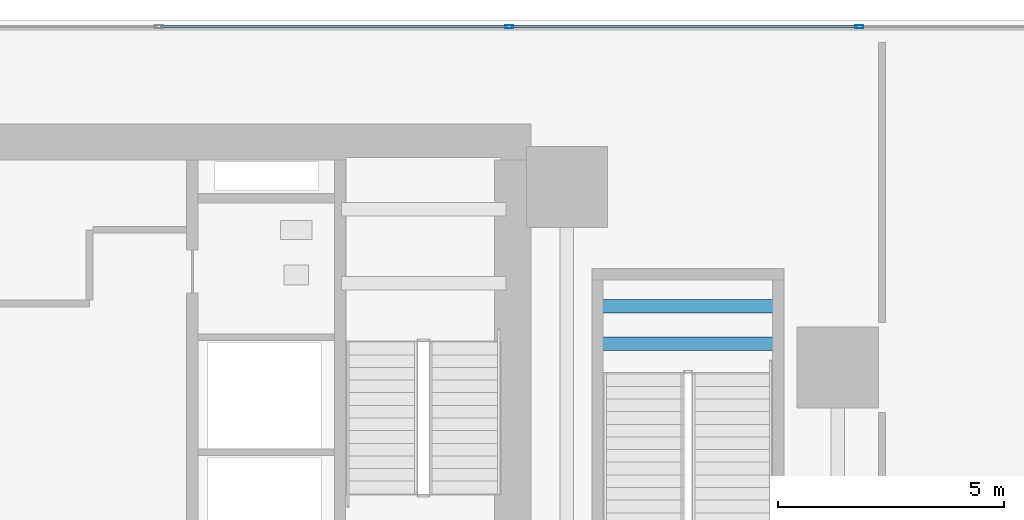
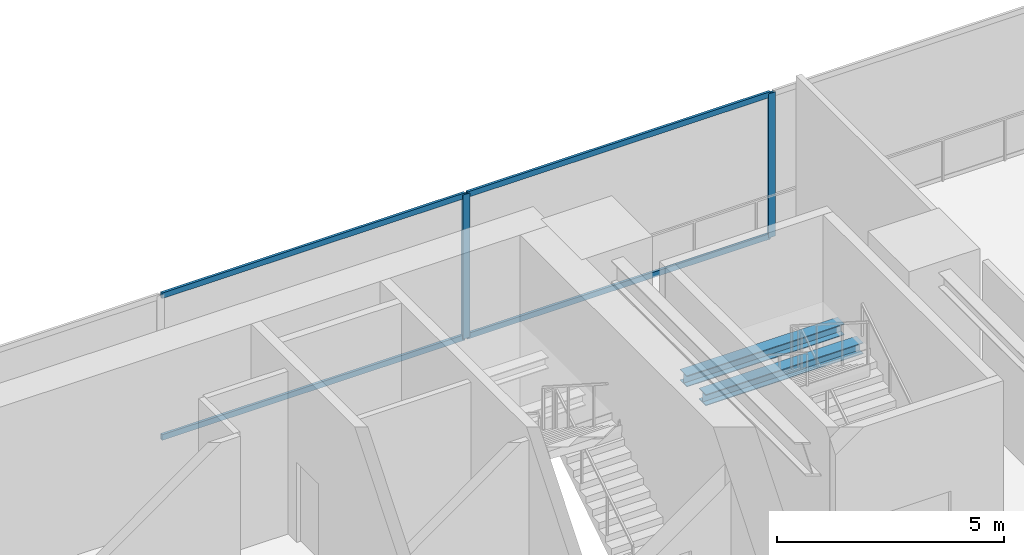
# One storey, part 6 of 17: 6 members, 2 beams, 1 element without a shape of its own.
"""IFC4 building model written with IfcOpenShell, lengths in metres."""

from ifc_helpers import new_model, si_unit, direction, frame, origin, origin_2d, place, context, subcontext, project, spatial, hollow_rectangle, i_section, extrude, source, transform, mapped, material, layer, layer_set, material_profile, profile_set, type_object, element, aggregate, save


model = new_model("IFC4")

# Units and contexts
model_context = context("Model", 3, precision=1e-05, world=origin(), true_north=direction((0.0, 1.0)))
body_context = subcontext(model_context, "Body", "Model", "MODEL_VIEW")
ifc_project = project(units=[si_unit("LENGTHUNIT", "METRE"), si_unit("AREAUNIT", "SQUARE_METRE"), si_unit("VOLUMEUNIT", "CUBIC_METRE"), si_unit("PLANEANGLEUNIT", "RADIAN"), si_unit("MASSUNIT", "GRAM", prefix="KILO")], contexts=[model_context])

# Site, building, storey
site_placement = place(None, origin())
site = spatial("IfcSite", under=ifc_project, at=site_placement, CompositionType="ELEMENT")
building_placement = place(site_placement, origin())
building = spatial("IfcBuilding", under=site, at=building_placement, Name="Sumidabori Civic Tower", CompositionType="ELEMENT")
storey_placement = place(building_placement, frame((0.0, 0.0, 5.0)))
storey = spatial("IfcBuildingStorey", under=building, at=storey_placement, Name="L01", CompositionType="ELEMENT", Elevation=5.0)

# Beams
ifc_material_1 = material(Name="Steel SN490", Category="steel")
ifc_material_profile_1 = material_profile(ifc_material_1, i_section(OverallWidth=0.300048828125, OverallDepth=0.300048828125, WebThickness=0.010986328125, FlangeThickness=0.01904296875, at=origin_2d()), Name="HE 300 B")
ifc_profile_set_1 = profile_set([ifc_material_profile_1], Name="Steel SN490")
beam_type = type_object("IfcBeamType", Name="BM-LDG-300", PredefinedType="BEAM", material=ifc_profile_set_1)
shared_shape_1 = source(origin(), body_context, "Body", "SweptSolid", [
    extrude(i_section(OverallWidth=0.300048828125, OverallDepth=0.300048828125, WebThickness=0.010986328125, FlangeThickness=0.01904296875, at=origin_2d()), origin(), (0.0, 0.0, 1.0), 4.0),
])
for number, where, z_axis, x_axis, name in (
    (1, (17.47998046875, 19.32568359375, 1.97509765625), (1.0, 0.0, 0.0), (0.0, 1.0, 0.0), "Stair ST-4 Landing Support Beam L01-1A"),
    (2, (17.47998046875, 20.15771484375, 1.97509765625), (1.0, 0.0, 0.0), (0.0, 1.0, 0.0), "Stair ST-4 Landing Trimmer Beam L01-1B"),
):
    element("IfcBeam", number, at=place(storey_placement, frame(where, z_axis=z_axis, x_axis=x_axis)), inside=storey, type_object=beam_type, Name=name, PredefinedType="BEAM", context=body_context, shape_type="MappedRepresentation", body=[
        mapped(shared_shape_1, transform((0.0, 0.0, 0.0), x_axis=(1.0, 0.0, 0.0), y_axis=(0.0, 1.0, 0.0), z_axis=(0.0, 0.0, 1.0), scale=1.0)),
    ])

# Curtain wall, members
ifc_material_2 = material(Name="Anodised Bronze Aluminium AW-6063-T6", Category="aluminium")
ifc_layer = layer(ifc_material_2, 0.179931640625, Name="Anodised Bronze Aluminium AW-6063-T6")
ifc_layer_set = layer_set([ifc_layer], Name="Anodised Bronze Aluminium AW-6063-T6")
curtain_wall_type = type_object("IfcCurtainWallType", Name="CW-SYS-1", PredefinedType="NOTDEFINED", material=ifc_layer_set)
curtain_wall_placement = place(storey_placement, origin())
curtain_wall = element("IfcCurtainWall", 3, at=curtain_wall_placement, inside=storey, type_object=curtain_wall_type, Name="Curtain Wall CW:L01:NORTH", PredefinedType="NOTDEFINED")
ifc_material_profile_2 = material_profile(ifc_material_2, hollow_rectangle(XDim=0.070068359375, YDim=0.179931640625, WallThickness=0.006103515625, at=origin_2d()), Name="ALU MULLION 180x70")
ifc_profile_set_2 = profile_set([ifc_material_profile_2], Name="Anodised Bronze Aluminium AW-6063-T6")
member_type_1 = type_object("IfcMemberType", Name="CW-MUL-180", PredefinedType="MULLION", material=ifc_profile_set_2)
shared_shape_2 = source(origin(), body_context, "Body", "SweptSolid", [
    extrude(hollow_rectangle(XDim=0.070068359375, YDim=0.179931640625, WallThickness=0.006103515625, at=origin_2d()), origin(), (0.0, 0.0, 1.0), 3.8701171875),
])
member_1_placement = place(storey_placement, frame((15.52001953125, 26.35009765625, 0.0), z_axis=(0.0, 0.0, 1.0), x_axis=(0.0, 1.0, 0.0)))
member_1 = element("IfcMember", 4, at=member_1_placement, type_object=member_type_1, Name="CW-1 mullion 8", PredefinedType="MULLION", context=body_context, shape_type="MappedRepresentation", body=[
    mapped(shared_shape_2, transform((0.0, 0.0, 0.0), x_axis=(1.0, 0.0, 0.0), y_axis=(0.0, 1.0, 0.0), z_axis=(0.0, 0.0, 1.0), scale=1.0)),
])
member_2_placement = place(storey_placement, frame((23.280029296875, 26.35009765625, 0.0), z_axis=(0.0, 0.0, 1.0), x_axis=(0.0, 1.0, 0.0)))
member_2 = element("IfcMember", 5, at=member_2_placement, type_object=member_type_1, Name="CW-1 mullion 9", PredefinedType="MULLION", context=body_context, shape_type="MappedRepresentation", body=[
    mapped(shared_shape_2, transform((0.0, 0.0, 0.0), x_axis=(1.0, 0.0, 0.0), y_axis=(0.0, 1.0, 0.0), z_axis=(0.0, 0.0, 1.0), scale=1.0)),
])
ifc_material_profile_3 = material_profile(ifc_material_2, hollow_rectangle(XDim=0.06494140625, YDim=0.14990234375, WallThickness=0.0048828125, at=origin_2d()), Name="ALU TRANSOM 150x65")
ifc_profile_set_3 = profile_set([ifc_material_profile_3], Name="Anodised Bronze Aluminium AW-6063-T6")
member_type_2 = type_object("IfcMemberType", Name="CW-TRN-150", PredefinedType="USERDEFINED", material=ifc_profile_set_3)
shared_shape_3 = source(origin(), body_context, "Body", "SweptSolid", [
    extrude(hollow_rectangle(XDim=0.06494140625, YDim=0.14990234375, WallThickness=0.0048828125, at=origin_2d()), origin(), (0.0, 0.0, 1.0), 7.690185546875),
])
member_3_placement = place(storey_placement, frame((7.794921875, 26.35009765625, 0.032470703125), z_axis=(1.0, 0.0, 0.0), x_axis=(0.0, 1.0, 0.0)))
member_3 = element("IfcMember", 6, at=member_3_placement, type_object=member_type_2, Name="CW-1 transom 7.1", ObjectType="TRANSOM", PredefinedType="USERDEFINED", context=body_context, shape_type="MappedRepresentation", body=[
    mapped(shared_shape_3, transform((0.0, 0.0, 0.0), x_axis=(1.0, 0.0, 0.0), y_axis=(0.0, 1.0, 0.0), z_axis=(0.0, 0.0, 1.0), scale=1.0)),
])
member_4_placement = place(storey_placement, frame((7.794921875, 26.35009765625, 3.83740234375), z_axis=(1.0, 0.0, 0.0), x_axis=(0.0, 1.0, 0.0)))
member_4 = element("IfcMember", 7, at=member_4_placement, type_object=member_type_2, Name="CW-1 transom 7.2", ObjectType="TRANSOM", PredefinedType="USERDEFINED", context=body_context, shape_type="MappedRepresentation", body=[
    mapped(shared_shape_3, transform((0.0, 0.0, 0.0), x_axis=(1.0, 0.0, 0.0), y_axis=(0.0, 1.0, 0.0), z_axis=(0.0, 0.0, 1.0), scale=1.0)),
])
member_5_placement = place(storey_placement, frame((15.554931640625, 26.35009765625, 0.032470703125), z_axis=(1.0, 0.0, 0.0), x_axis=(0.0, 1.0, 0.0)))
member_5 = element("IfcMember", 8, at=member_5_placement, type_object=member_type_2, Name="CW-1 transom 8.1", ObjectType="TRANSOM", PredefinedType="USERDEFINED", context=body_context, shape_type="MappedRepresentation", body=[
    mapped(shared_shape_3, transform((0.0, 0.0, 0.0), x_axis=(1.0, 0.0, 0.0), y_axis=(0.0, 1.0, 0.0), z_axis=(0.0, 0.0, 1.0), scale=1.0)),
])
member_6_placement = place(storey_placement, frame((15.554931640625, 26.35009765625, 3.83740234375), z_axis=(1.0, 0.0, 0.0), x_axis=(0.0, 1.0, 0.0)))
member_6 = element("IfcMember", 9, at=member_6_placement, type_object=member_type_2, Name="CW-1 transom 8.2", ObjectType="TRANSOM", PredefinedType="USERDEFINED", context=body_context, shape_type="MappedRepresentation", body=[
    mapped(shared_shape_3, transform((0.0, 0.0, 0.0), x_axis=(1.0, 0.0, 0.0), y_axis=(0.0, 1.0, 0.0), z_axis=(0.0, 0.0, 1.0), scale=1.0)),
])
aggregate(curtain_wall, [member_1, member_2, member_3, member_4, member_5, member_6])

save(model, "model.ifc")
